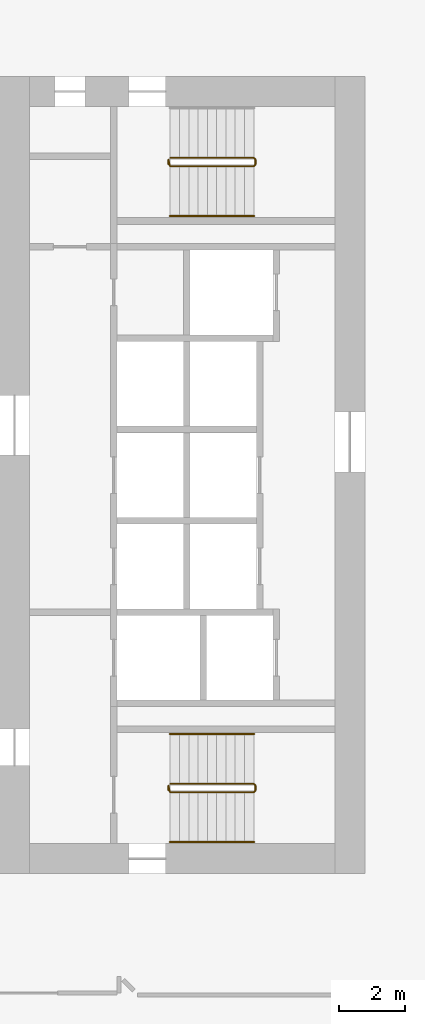
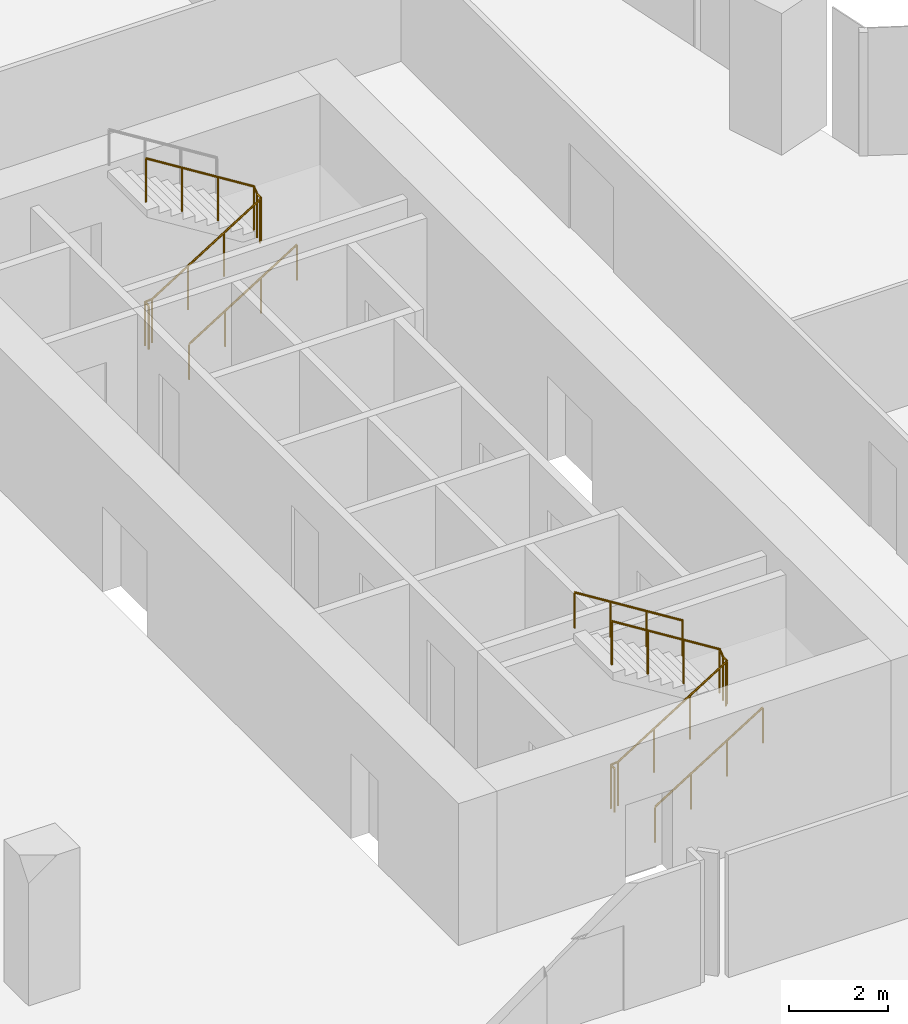
# One storey, part 36 of 38: 5 railings.
"""IFC4 building model written with IfcOpenShell, lengths in metres."""

from ifc_helpers import new_model, si_unit, direction, frame, origin, origin_2d, place, context, subcontext, project, spatial, circle, extrude, material, type_object, element, save


model = new_model("IFC4")

# Units and contexts
model_context = context("Model", 3, precision=1e-05, world=origin(), true_north=direction((0.0, 1.0)))
body_context = subcontext(model_context, "Body", "Model", "MODEL_VIEW")
ifc_project = project(units=[si_unit("LENGTHUNIT", "METRE"), si_unit("AREAUNIT", "SQUARE_METRE"), si_unit("VOLUMEUNIT", "CUBIC_METRE"), si_unit("PLANEANGLEUNIT", "RADIAN"), si_unit("MASSUNIT", "GRAM", prefix="KILO")], contexts=[model_context])

# Site, building, storey
site_placement = place(None, origin())
site = spatial("IfcSite", under=ifc_project, at=site_placement, CompositionType="ELEMENT")
building_placement = place(site_placement, origin())
building = spatial("IfcBuilding", under=site, at=building_placement, Name="Orlundy Tower", CompositionType="ELEMENT")
storey_placement = place(building_placement, frame((0.0, 0.0, 72.800048828125)))
storey = spatial("IfcBuildingStorey", under=building, at=storey_placement, Name="L17", CompositionType="ELEMENT", Elevation=72.800048828125)

# Railings
ifc_material_1 = material(Name="Steel balustrade", Category="steel")
railing_type_1 = type_object("IfcRailingType", Name="Stair Guard 1100", PredefinedType="GUARDRAIL", material=ifc_material_1)
railing_1_placement = place(storey_placement, frame((13.090087890625, -9.5, 0.0)))
element("IfcRailing", 1, at=railing_1_placement, inside=storey, type_object=railing_type_1, Name="L17 ST-E1 stair guard 1", PredefinedType="GUARDRAIL", context=body_context, shape_type="SweptSolid", body=[
    extrude(circle(Radius=0.02392578125, at=origin_2d()), frame((0.0, 0.0, 1.076171875), z_axis=(0.0, 1.0, 0.0), x_axis=(-1.0, 0.0, 0.0)), (0.0, 0.0, 1.0), 0.14990234375),
    extrude(circle(Radius=0.02392578125, at=origin_2d()), frame((0.0, 0.14990234375, 1.076171875), z_axis=(0.18420542264, -0.739530593833, 0.647427882513), x_axis=(0.970351222016, 0.241699205484, 0.0)), (0.0, 0.0, 1.0), 0.270263671875),
    extrude(circle(Radius=0.02392578125, at=origin_2d()), frame((0.0498046875, -0.050048828125, 1.2509765625), z_axis=(0.848007534815, 0.0, 0.529984170421), x_axis=(0.0, 1.0, 0.0)), (0.0, 0.0, 1.0), 2.9716796875),
    extrude(circle(Radius=0.02392578125, at=origin_2d()), frame((2.56982421875, -0.050048828125, 2.826171875), z_axis=(0.707106781187, 0.707106781187, 0.0), x_axis=(-0.707106781187, 0.707106781187, 0.0)), (0.0, 0.0, 1.0), 0.07080078125),
    extrude(circle(Radius=0.02392578125, at=origin_2d()), frame((2.619873046875, 0.0, 2.826171875), z_axis=(0.0, 1.0, 0.0), x_axis=(-1.0, 0.0, 0.0)), (0.0, 0.0, 1.0), 0.14990234375),
    extrude(circle(Radius=0.02392578125, at=origin_2d()), frame((2.619873046875, 0.14990234375, 2.826171875), z_axis=(-0.265065253269, 0.265065253269, 0.927081885822), x_axis=(-0.707106781187, -0.707106781187, 0.0)), (0.0, 0.0, 1.0), 0.188720703125),
    extrude(circle(Radius=0.02392578125, at=origin_2d()), frame((2.56982421875, 0.199951171875, 3.0009765625), z_axis=(-0.848007534815, 0.0, 0.529984170421), x_axis=(0.0, -1.0, 0.0)), (0.0, 0.0, 1.0), 2.9716796875),
    extrude(circle(Radius=0.02099609375, at=origin_2d()), origin(), (0.0, 0.0, 1.0), 1.052001953125),
    extrude(circle(Radius=0.02099609375, at=origin_2d()), frame((0.0, 0.14990234375, 0.0)), (0.0, 0.0, 1.0), 1.052001953125),
    extrude(circle(Radius=0.02099609375, at=origin_2d()), frame((0.0498046875, -0.050048828125, 0.175048828125)), (0.0, 0.0, 1.0), 1.052001953125),
    extrude(circle(Radius=0.02099609375, at=origin_2d()), frame((0.889892578125, -0.050048828125, 0.699951171875)), (0.0, 0.0, 1.0), 1.052001953125),
    extrude(circle(Radius=0.02099609375, at=origin_2d()), frame((1.729736328125, -0.050048828125, 1.22509765625)), (0.0, 0.0, 1.0), 1.052001953125),
    extrude(circle(Radius=0.02099609375, at=origin_2d()), frame((2.56982421875, -0.050048828125, 1.75)), (0.0, 0.0, 1.0), 1.052001953125),
    extrude(circle(Radius=0.02099609375, at=origin_2d()), frame((2.619873046875, 0.0, 1.75)), (0.0, 0.0, 1.0), 1.052001953125),
    extrude(circle(Radius=0.02099609375, at=origin_2d()), frame((2.619873046875, 0.14990234375, 1.75)), (0.0, 0.0, 1.0), 1.052001953125),
    extrude(circle(Radius=0.02099609375, at=origin_2d()), frame((2.56982421875, 0.199951171875, 1.925048828125)), (0.0, 0.0, 1.0), 1.052001953125),
    extrude(circle(Radius=0.02099609375, at=origin_2d()), frame((1.729736328125, 0.199951171875, 2.449951171875)), (0.0, 0.0, 1.0), 1.052001953125),
    extrude(circle(Radius=0.02099609375, at=origin_2d()), frame((0.889892578125, 0.199951171875, 2.97509765625)), (0.0, 0.0, 1.0), 1.052001953125),
    extrude(circle(Radius=0.02099609375, at=origin_2d()), frame((0.0498046875, 0.199951171875, 3.5)), (0.0, 0.0, 1.0), 1.052001953125),
])
railing_2_placement = place(storey_placement, frame((13.090087890625, 9.35009765625, 0.0)))
element("IfcRailing", 2, at=railing_2_placement, inside=storey, type_object=railing_type_1, Name="L17 ST-E2 stair guard 1", PredefinedType="GUARDRAIL", context=body_context, shape_type="SweptSolid", body=[
    extrude(circle(Radius=0.02392578125, at=origin_2d()), frame((0.0, 0.0, 1.076171875), z_axis=(0.0, 1.0, 0.0), x_axis=(-1.0, 0.0, 0.0)), (0.0, 0.0, 1.0), 0.14990234375),
    extrude(circle(Radius=0.02392578125, at=origin_2d()), frame((0.0, 0.14990234375, 1.076171875), z_axis=(0.18420542264, -0.739530593833, 0.647427882513), x_axis=(0.970351222016, 0.241699205484, 0.0)), (0.0, 0.0, 1.0), 0.270263671875),
    extrude(circle(Radius=0.02392578125, at=origin_2d()), frame((0.0498046875, -0.050048828125, 1.2509765625), z_axis=(0.848007534815, 0.0, 0.529984170421), x_axis=(0.0, 1.0, 0.0)), (0.0, 0.0, 1.0), 2.9716796875),
    extrude(circle(Radius=0.02392578125, at=origin_2d()), frame((2.56982421875, -0.050048828125, 2.826171875), z_axis=(0.707106781187, 0.707106781187, 0.0), x_axis=(-0.707106781187, 0.707106781187, 0.0)), (0.0, 0.0, 1.0), 0.07080078125),
    extrude(circle(Radius=0.02392578125, at=origin_2d()), frame((2.619873046875, 0.0, 2.826171875), z_axis=(0.0, 1.0, 0.0), x_axis=(-1.0, 0.0, 0.0)), (0.0, 0.0, 1.0), 0.14990234375),
    extrude(circle(Radius=0.02392578125, at=origin_2d()), frame((2.619873046875, 0.14990234375, 2.826171875), z_axis=(-0.265065253269, 0.265065253269, 0.927081885822), x_axis=(-0.707106781187, -0.707106781187, 0.0)), (0.0, 0.0, 1.0), 0.188720703125),
    extrude(circle(Radius=0.02392578125, at=origin_2d()), frame((2.56982421875, 0.199951171875, 3.0009765625), z_axis=(-0.848007534815, 0.0, 0.529984170421), x_axis=(0.0, -1.0, 0.0)), (0.0, 0.0, 1.0), 2.9716796875),
    extrude(circle(Radius=0.02099609375, at=origin_2d()), origin(), (0.0, 0.0, 1.0), 1.052001953125),
    extrude(circle(Radius=0.02099609375, at=origin_2d()), frame((0.0, 0.14990234375, 0.0)), (0.0, 0.0, 1.0), 1.052001953125),
    extrude(circle(Radius=0.02099609375, at=origin_2d()), frame((0.0498046875, -0.050048828125, 0.175048828125)), (0.0, 0.0, 1.0), 1.052001953125),
    extrude(circle(Radius=0.02099609375, at=origin_2d()), frame((0.889892578125, -0.050048828125, 0.699951171875)), (0.0, 0.0, 1.0), 1.052001953125),
    extrude(circle(Radius=0.02099609375, at=origin_2d()), frame((1.729736328125, -0.050048828125, 1.22509765625)), (0.0, 0.0, 1.0), 1.052001953125),
    extrude(circle(Radius=0.02099609375, at=origin_2d()), frame((2.56982421875, -0.050048828125, 1.75)), (0.0, 0.0, 1.0), 1.052001953125),
    extrude(circle(Radius=0.02099609375, at=origin_2d()), frame((2.619873046875, 0.0, 1.75)), (0.0, 0.0, 1.0), 1.052001953125),
    extrude(circle(Radius=0.02099609375, at=origin_2d()), frame((2.619873046875, 0.14990234375, 1.75)), (0.0, 0.0, 1.0), 1.052001953125),
    extrude(circle(Radius=0.02099609375, at=origin_2d()), frame((2.56982421875, 0.199951171875, 1.925048828125)), (0.0, 0.0, 1.0), 1.052001953125),
    extrude(circle(Radius=0.02099609375, at=origin_2d()), frame((1.729736328125, 0.199951171875, 2.449951171875)), (0.0, 0.0, 1.0), 1.052001953125),
    extrude(circle(Radius=0.02099609375, at=origin_2d()), frame((0.889892578125, 0.199951171875, 2.97509765625)), (0.0, 0.0, 1.0), 1.052001953125),
    extrude(circle(Radius=0.02099609375, at=origin_2d()), frame((0.0498046875, 0.199951171875, 3.5)), (0.0, 0.0, 1.0), 1.052001953125),
])
ifc_material_2 = material(Name="Steel handrail", Category="steel")
railing_type_2 = type_object("IfcRailingType", Name="Stair Handrail 900", PredefinedType="HANDRAIL", material=ifc_material_2)
railing_3_placement = place(storey_placement, frame((13.139892578125, -11.050048828125, 0.175048828125)))
element("IfcRailing", 3, at=railing_3_placement, inside=storey, type_object=railing_type_2, Name="L17 ST-E1 stair handrail 1", PredefinedType="HANDRAIL", context=body_context, shape_type="SweptSolid", body=[
    extrude(circle(Radius=0.02392578125, at=origin_2d()), frame((0.0, 0.0, 0.8759765625), z_axis=(0.848007534815, 0.0, 0.529984170421), x_axis=(0.0, 1.0, 0.0)), (0.0, 0.0, 1.0), 2.9716796875),
    extrude(circle(Radius=0.02099609375, at=origin_2d()), origin(), (0.0, 0.0, 1.0), 0.851806640625),
    extrude(circle(Radius=0.02099609375, at=origin_2d()), frame((0.840087890625, 0.0, 0.52490234375)), (0.0, 0.0, 1.0), 0.851806640625),
    extrude(circle(Radius=0.02099609375, at=origin_2d()), frame((1.679931640625, 0.0, 1.050048828125)), (0.0, 0.0, 1.0), 0.851806640625),
    extrude(circle(Radius=0.02099609375, at=origin_2d()), frame((2.52001953125, 0.0, 1.574951171875)), (0.0, 0.0, 1.0), 0.851806640625),
])
railing_4_placement = place(storey_placement, frame((15.659912109375, -7.800048828125, 1.925048828125)))
element("IfcRailing", 4, at=railing_4_placement, inside=storey, type_object=railing_type_2, Name="L17 ST-E1 stair handrail 2", PredefinedType="HANDRAIL", context=body_context, shape_type="SweptSolid", body=[
    extrude(circle(Radius=0.02392578125, at=origin_2d()), frame((0.0, 0.0, 0.8759765625), z_axis=(-0.848007534815, 0.0, 0.529984170421), x_axis=(0.0, -1.0, 0.0)), (0.0, 0.0, 1.0), 2.9716796875),
    extrude(circle(Radius=0.02099609375, at=origin_2d()), origin(), (0.0, 0.0, 1.0), 0.851806640625),
    extrude(circle(Radius=0.02099609375, at=origin_2d()), frame((-0.840087890625, 0.0, 0.52490234375)), (0.0, 0.0, 1.0), 0.851806640625),
    extrude(circle(Radius=0.02099609375, at=origin_2d()), frame((-1.679931640625, 0.0, 1.050048828125)), (0.0, 0.0, 1.0), 0.851806640625),
    extrude(circle(Radius=0.02099609375, at=origin_2d()), frame((-2.52001953125, 0.0, 1.574951171875)), (0.0, 0.0, 1.0), 0.851806640625),
])
railing_5_placement = place(storey_placement, frame((13.139892578125, 7.800048828125, 0.175048828125)))
element("IfcRailing", 5, at=railing_5_placement, inside=storey, type_object=railing_type_2, Name="L17 ST-E2 stair handrail 1", PredefinedType="HANDRAIL", context=body_context, shape_type="SweptSolid", body=[
    extrude(circle(Radius=0.02392578125, at=origin_2d()), frame((0.0, 0.0, 0.8759765625), z_axis=(0.848007534815, 0.0, 0.529984170421), x_axis=(0.0, 1.0, 0.0)), (0.0, 0.0, 1.0), 2.9716796875),
    extrude(circle(Radius=0.02099609375, at=origin_2d()), origin(), (0.0, 0.0, 1.0), 0.851806640625),
    extrude(circle(Radius=0.02099609375, at=origin_2d()), frame((0.840087890625, 0.0, 0.52490234375)), (0.0, 0.0, 1.0), 0.851806640625),
    extrude(circle(Radius=0.02099609375, at=origin_2d()), frame((1.679931640625, 0.0, 1.050048828125)), (0.0, 0.0, 1.0), 0.851806640625),
    extrude(circle(Radius=0.02099609375, at=origin_2d()), frame((2.52001953125, 0.0, 1.574951171875)), (0.0, 0.0, 1.0), 0.851806640625),
])

save(model, "model.ifc")
